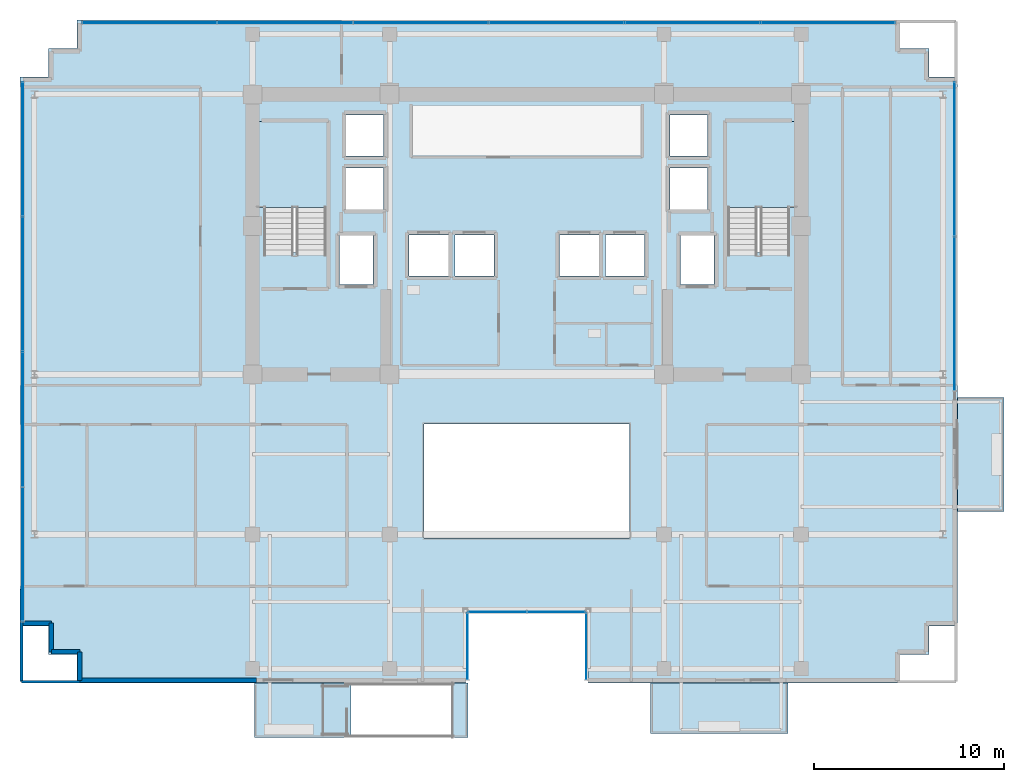
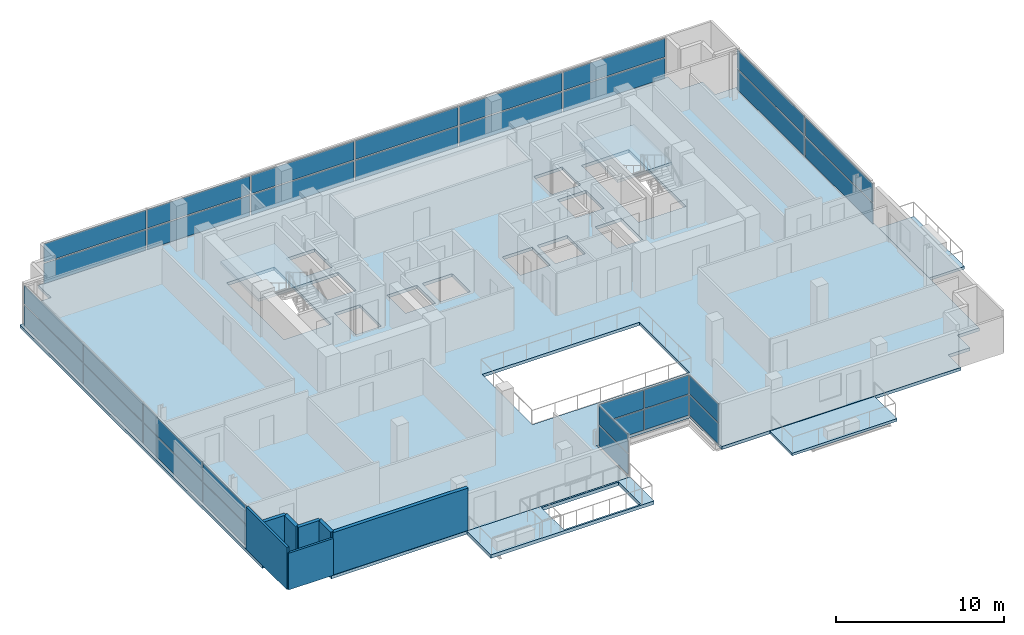
# One storey, part 16 of 23: 32 plates, 7 walls, 6 slabs, 8 elements without a shape of their own.
"""IFC4 building model written with IfcOpenShell, lengths in metres."""

from ifc_helpers import new_model, si_unit, direction, frame, frame_2d, origin, origin_2d, place, context, subcontext, project, spatial, polyline, rectangle, outline, extrude, source, transform, mapped, material, layer, layer_set, type_object, element, aggregate, save


model = new_model("IFC4")

# Units and contexts
model_context = context("Model", 3, precision=1e-05, world=origin(), true_north=direction((0.0, 1.0)))
body_context = subcontext(model_context, "Body", "Model", "MODEL_VIEW")
ifc_project = project(units=[si_unit("LENGTHUNIT", "METRE"), si_unit("AREAUNIT", "SQUARE_METRE"), si_unit("VOLUMEUNIT", "CUBIC_METRE"), si_unit("PLANEANGLEUNIT", "RADIAN"), si_unit("MASSUNIT", "GRAM", prefix="KILO")], contexts=[model_context])

# Site, building, storey
site_placement = place(None, origin())
site = spatial("IfcSite", under=ifc_project, at=site_placement, CompositionType="ELEMENT")
building_placement = place(site_placement, origin())
building = spatial("IfcBuilding", under=site, at=building_placement, Name="Zarnakvel Exchange Tower", CompositionType="ELEMENT")
storey_placement = place(building_placement, frame((0.0, 0.0, 149.5)))
storey = spatial("IfcBuildingStorey", under=building, at=storey_placement, Name="L41", CompositionType="ELEMENT", Elevation=149.5)

# Stair, slab
ifc_material_1 = material(Name="Concrete C40/50", Category="concrete")
stair_type = type_object("IfcStairType", Name="STR-01", PredefinedType="HALF_TURN_STAIR", material=ifc_material_1)
stair_1_placement = place(storey_placement, origin())
stair_1 = element("IfcStair", 1, at=stair_1_placement, inside=storey, type_object=stair_type, Name="L41 Protected Core Exit Stair ST-01", PredefinedType="HALF_TURN_STAIR")
ifc_layer_1 = layer(ifc_material_1, 0.199951171875)
ifc_layer_set_1 = layer_set([ifc_layer_1], Name="Concrete C40/50")
slab_type_1 = type_object("IfcSlabType", Name="LDG-01", PredefinedType="LANDING", material=ifc_layer_set_1)
slab_1_placement = place(storey_placement, frame((0.0, 0.0, 1.449951171875)))
slab_1 = element("IfcSlab", 2, at=slab_1_placement, type_object=slab_type_1, Name="ST-01 landing 1", PredefinedType="LANDING", context=body_context, shape_type="SweptSolid", body=[
    extrude(outline(polyline([(-14.18994140625, 7.570068359375), (-10.4599609375, 7.570068359375), (-10.4599609375, 12.080078125), (-14.18994140625, 12.080078125), (-14.18994140625, 7.570068359375)])), origin(), (0.0, 0.0, 1.0), 0.199951171875),
])
aggregate(stair_1, [slab_1])

stair_2_placement = place(storey_placement, origin())
stair_2 = element("IfcStair", 3, at=stair_2_placement, inside=storey, type_object=stair_type, Name="L41 Protected Core Exit Stair ST-02", PredefinedType="HALF_TURN_STAIR")
slab_2_placement = place(storey_placement, frame((0.0, 0.0, 1.449951171875)))
slab_2 = element("IfcSlab", 4, at=slab_2_placement, type_object=slab_type_1, Name="ST-02 landing 1", PredefinedType="LANDING", context=body_context, shape_type="SweptSolid", body=[
    extrude(outline(polyline([(10.4599609375, 7.570068359375), (14.18994140625, 7.570068359375), (14.18994140625, 12.080078125), (10.4599609375, 12.080078125), (10.4599609375, 7.570068359375)])), origin(), (0.0, 0.0, 1.0), 0.199951171875),
])
aggregate(stair_2, [slab_2])

# Slabs
ifc_layer_2 = layer(ifc_material_1, 0.22509765625)
ifc_layer_set_2 = layer_set([ifc_layer_2], Name="Concrete C40/50")
slab_type_2 = type_object("IfcSlabType", Name="SL-04", PredefinedType="FLOOR", material=ifc_layer_set_2)
slab_3_placement = place(storey_placement, frame((0.0, 0.0, -0.22509765625)))
element("IfcSlab", 5, at=slab_3_placement, inside=storey, type_object=slab_type_2, Name="L41 Primary Structural Floor Slab", PredefinedType="FLOOR", context=body_context, shape_type="SweptSolid", body=[
    extrude(outline(polyline([(-26.60009765625, -14.39990234375), (-25.10009765625, -14.39990234375), (-25.10009765625, -15.89990234375), (-23.60009765625, -15.89990234375), (-23.60009765625, -17.39990234375), (-3.199951171875, -17.39990234375), (-3.199951171875, -13.60009765625), (3.199951171875, -13.60009765625), (3.199951171875, -17.39990234375), (19.60009765625, -17.39990234375), (19.60009765625, -15.89990234375), (21.10009765625, -15.89990234375), (21.10009765625, -14.39990234375), (22.60009765625, -14.39990234375), (22.60009765625, 14.39990234375), (21.10009765625, 14.39990234375), (21.10009765625, 15.89990234375), (19.60009765625, 15.89990234375), (19.60009765625, 17.39990234375), (-23.60009765625, 17.39990234375), (-23.60009765625, 15.89990234375), (-25.10009765625, 15.89990234375), (-25.10009765625, 14.39990234375), (-26.60009765625, 14.39990234375), (-26.60009765625, -14.39990234375)]), holes=[polyline([(-5.39990234375, -9.800048828125), (5.39990234375, -9.800048828125), (5.39990234375, -3.800048828125), (-5.39990234375, -3.800048828125), (-5.39990234375, -9.800048828125)]), polyline([(-13.800048828125, 5.2099609375), (-10.5400390625, 5.2099609375), (-10.5400390625, 12.0), (-13.800048828125, 12.0), (-13.800048828125, 5.2099609375)]), polyline([(10.5400390625, 5.2099609375), (13.800048828125, 5.2099609375), (13.800048828125, 12.0), (10.5400390625, 12.0), (10.5400390625, 5.2099609375)]), polyline([(-9.830078125, 3.52001953125), (-8.070068359375, 3.52001953125), (-8.070068359375, 6.080078125), (-9.830078125, 6.080078125), (-9.830078125, 3.52001953125)]), polyline([(8.070068359375, 3.52001953125), (9.830078125, 3.52001953125), (9.830078125, 6.080078125), (8.070068359375, 6.080078125), (8.070068359375, 3.52001953125)]), polyline([(-6.179931640625, 3.969970703125), (-4.1201171875, 3.969970703125), (-4.1201171875, 6.1298828125), (-6.179931640625, 6.1298828125), (-6.179931640625, 3.969970703125)]), polyline([(-3.780029296875, 3.969970703125), (-1.719970703125, 3.969970703125), (-1.719970703125, 6.1298828125), (-3.780029296875, 6.1298828125), (-3.780029296875, 3.969970703125)]), polyline([(1.719970703125, 3.969970703125), (3.780029296875, 3.969970703125), (3.780029296875, 6.1298828125), (1.719970703125, 6.1298828125), (1.719970703125, 3.969970703125)]), polyline([(4.1201171875, 3.969970703125), (6.179931640625, 3.969970703125), (6.179931640625, 6.1298828125), (4.1201171875, 6.1298828125), (4.1201171875, 3.969970703125)]), polyline([(-9.47998046875, 7.469970703125), (-7.52001953125, 7.469970703125), (-7.52001953125, 9.6298828125), (-9.47998046875, 9.6298828125), (-9.47998046875, 7.469970703125)]), polyline([(-9.47998046875, 10.27001953125), (-7.52001953125, 10.27001953125), (-7.52001953125, 12.429931640625), (-9.47998046875, 12.429931640625), (-9.47998046875, 10.27001953125)]), polyline([(7.52001953125, 7.469970703125), (9.47998046875, 7.469970703125), (9.47998046875, 9.6298828125), (7.52001953125, 9.6298828125), (7.52001953125, 7.469970703125)]), polyline([(7.52001953125, 10.27001953125), (9.47998046875, 10.27001953125), (9.47998046875, 12.429931640625), (7.52001953125, 12.429931640625), (7.52001953125, 10.27001953125)])]), origin(), (0.0, 0.0, 1.0), 0.22509765625),
])
ifc_layer_3 = layer(ifc_material_1, 0.25)
ifc_layer_set_3 = layer_set([ifc_layer_3], Name="Concrete C40/50")
slab_type_3 = type_object("IfcSlabType", Name="SL-07", PredefinedType="ROOF", material=ifc_layer_set_3)
slab_4_placement = place(storey_placement, frame((0.0, 0.0, -0.25)))
element("IfcSlab", 6, at=slab_4_placement, inside=storey, type_object=slab_type_3, Name="L41 Spiral Sky-Terrace Outdoor Slab (SW)", PredefinedType="ROOF", context=body_context, shape_type="SweptSolid", body=[
    extrude(outline(polyline([(-14.300048828125, -20.260009765625), (-3.10009765625, -20.260009765625), (-3.10009765625, -17.39990234375), (-14.300048828125, -17.39990234375), (-14.300048828125, -20.260009765625)]), holes=[polyline([(-9.239990234375, -20.139892578125), (-3.949951171875, -20.139892578125), (-3.949951171875, -17.52001953125), (-9.239990234375, -17.52001953125), (-9.239990234375, -20.139892578125)])]), origin(), (0.0, 0.0, 1.0), 0.25),
])
ifc_layer_4 = layer(ifc_material_1, 0.18994140625)
ifc_layer_set_4 = layer_set([ifc_layer_4], Name="Concrete C40/50")
slab_type_4 = type_object("IfcSlabType", Name="SL-08", PredefinedType="USERDEFINED", material=ifc_layer_set_4)
slab_5_placement = place(storey_placement, frame((0.0, 0.0, -0.22509765625)))
element("IfcSlab", 7, at=slab_5_placement, inside=storey, type_object=slab_type_4, Name="L41 Planted Loggia Balcony Slab BAL-L41-SE", ObjectType="BALCONY", PredefinedType="USERDEFINED", context=body_context, shape_type="SweptSolid", body=[
    extrude(outline(polyline([(6.5, -20.050048828125), (13.699951171875, -20.050048828125), (13.699951171875, -17.39990234375), (6.5, -17.39990234375), (6.5, -20.050048828125)])), origin(), (0.0, 0.0, 1.0), 0.190185546875),
])
slab_6_placement = place(storey_placement, frame((0.0, 0.0, -0.22509765625)))
element("IfcSlab", 8, at=slab_6_placement, inside=storey, type_object=slab_type_4, Name="L41 Planted Loggia Balcony Slab BAL-L41-E", ObjectType="BALCONY", PredefinedType="USERDEFINED", context=body_context, shape_type="SweptSolid", body=[
    extrude(outline(polyline([(22.60009765625, -8.39990234375), (25.050048828125, -8.39990234375), (25.050048828125, -2.39990234375), (22.60009765625, -2.39990234375), (22.60009765625, -8.39990234375)])), origin(), (0.0, 0.0, 1.0), 0.190185546875),
])

# Curtain wall, plate
ifc_material_2 = material(Name="Architectural Bronze Anodised Aluminium", Category="aluminium")
ifc_layer_5 = layer(ifc_material_2, 0.179931640625)
ifc_layer_set_5 = layer_set([ifc_layer_5], Name="Architectural Bronze Anodised Aluminium")
curtain_wall_type_1 = type_object("IfcCurtainWallType", Name="CW-05", PredefinedType="NOTDEFINED", material=ifc_layer_set_5)
curtain_wall_1_placement = place(storey_placement, origin())
curtain_wall_1 = element("IfcCurtainWall", 9, at=curtain_wall_1_placement, inside=storey, type_object=curtain_wall_type_1, Name="L41 Curtain Wall CW-L41-SLW (CW-05)", PredefinedType="NOTDEFINED")
ifc_material_3 = material(Name="Double Low-E Laminated Vision Glass", Category="glass")
ifc_layer_6 = layer(ifc_material_3, 0.02587890625)
ifc_layer_set_6 = layer_set([ifc_layer_6], Name="Double Low-E Laminated Vision Glass")
plate_type_1 = type_object("IfcPlateType", Name="CWP-05", PredefinedType="CURTAIN_PANEL", material=ifc_layer_set_6)
shared_shape_1 = source(origin(), body_context, "Body", "SweptSolid", [
    extrude(rectangle(XDim=3.4599609375, YDim=0.02587890625, at=origin_2d()), origin(), (0.0, 0.0, 1.0), 1.483642578125),
])
plate_1_placement = place(storey_placement, frame((-3.1201171875, -15.47998046875, 0.06982421875), z_axis=(0.0, 0.0, 1.0), x_axis=(0.0, 1.0, 0.0)))
plate_1 = element("IfcPlate", 10, at=plate_1_placement, type_object=plate_type_1, Name="CW-05 panel 1.1", PredefinedType="CURTAIN_PANEL", context=body_context, shape_type="MappedRepresentation", body=[
    mapped(shared_shape_1, transform((0.0, 0.0, 0.0), x_axis=(1.0, 0.0, 0.0), y_axis=(0.0, 1.0, 0.0), z_axis=(0.0, 0.0, 1.0), scale=1.0)),
])

curtain_wall_2_placement = place(storey_placement, origin())
curtain_wall_2 = element("IfcCurtainWall", 11, at=curtain_wall_2_placement, inside=storey, type_object=curtain_wall_type_1, Name="L41 Curtain Wall CW-L41-SLE (CW-05)", PredefinedType="NOTDEFINED")
plate_2_placement = place(storey_placement, frame((3.1201171875, -15.47998046875, 0.06982421875), z_axis=(0.0, 0.0, 1.0), x_axis=(0.0, -1.0, 0.0)))
plate_2 = element("IfcPlate", 12, at=plate_2_placement, type_object=plate_type_1, Name="CW-05 panel 1.1", PredefinedType="CURTAIN_PANEL", context=body_context, shape_type="MappedRepresentation", body=[
    mapped(shared_shape_1, transform((0.0, 0.0, 0.0), x_axis=(1.0, 0.0, 0.0), y_axis=(0.0, 1.0, 0.0), z_axis=(0.0, 0.0, 1.0), scale=1.0)),
])

# Plate
shared_shape_2 = source(origin(), body_context, "Body", "SweptSolid", [
    extrude(rectangle(XDim=3.4599609375, YDim=0.02587890625, at=origin_2d()), origin(), (0.0, 0.0, 1.0), 1.361328125),
])
plate_3_placement = place(storey_placement, frame((-3.1201171875, -15.47998046875, 1.62353515625), z_axis=(0.0, 0.0, 1.0), x_axis=(0.0, 1.0, 0.0)))
plate_3 = element("IfcPlate", 13, at=plate_3_placement, type_object=plate_type_1, Name="CW-05 panel 1.2", PredefinedType="CURTAIN_PANEL", context=body_context, shape_type="MappedRepresentation", body=[
    mapped(shared_shape_2, transform((0.0, 0.0, 0.0), x_axis=(1.0, 0.0, 0.0), y_axis=(0.0, 1.0, 0.0), z_axis=(0.0, 0.0, 1.0), scale=1.0)),
])

aggregate(curtain_wall_1, [plate_1, plate_3])

plate_4_placement = place(storey_placement, frame((3.1201171875, -15.47998046875, 1.62353515625), z_axis=(0.0, 0.0, 1.0), x_axis=(0.0, -1.0, 0.0)))
plate_4 = element("IfcPlate", 14, at=plate_4_placement, type_object=plate_type_1, Name="CW-05 panel 1.2", PredefinedType="CURTAIN_PANEL", context=body_context, shape_type="MappedRepresentation", body=[
    mapped(shared_shape_2, transform((0.0, 0.0, 0.0), x_axis=(1.0, 0.0, 0.0), y_axis=(0.0, 1.0, 0.0), z_axis=(0.0, 0.0, 1.0), scale=1.0)),
])

aggregate(curtain_wall_2, [plate_2, plate_4])

# Curtain wall, plates
curtain_wall_3_placement = place(storey_placement, origin())
curtain_wall_3 = element("IfcCurtainWall", 15, at=curtain_wall_3_placement, inside=storey, type_object=curtain_wall_type_1, Name="L41 Curtain Wall CW-L41-SLB (CW-05)", PredefinedType="NOTDEFINED")
shared_shape_3 = source(origin(), body_context, "Body", "SweptSolid", [
    extrude(rectangle(XDim=3.014892578125, YDim=0.02587890625, at=origin_2d()), origin(), (0.0, 0.0, 1.0), 1.483642578125),
])
plate_5_placement = place(storey_placement, frame((-1.54248046875, -13.679931640625, 0.06982421875), z_axis=(0.0, 0.0, 1.0), x_axis=(1.0, 0.0, 0.0)))
plate_5 = element("IfcPlate", 16, at=plate_5_placement, type_object=plate_type_1, Name="CW-05 panel 1.1", PredefinedType="CURTAIN_PANEL", context=body_context, shape_type="MappedRepresentation", body=[
    mapped(shared_shape_3, transform((0.0, 0.0, 0.0), x_axis=(1.0, 0.0, 0.0), y_axis=(0.0, 1.0, 0.0), z_axis=(0.0, 0.0, 1.0), scale=1.0)),
])
plate_6_placement = place(storey_placement, frame((1.54248046875, -13.679931640625, 0.06982421875), z_axis=(0.0, 0.0, 1.0), x_axis=(1.0, 0.0, 0.0)))
plate_6 = element("IfcPlate", 17, at=plate_6_placement, type_object=plate_type_1, Name="CW-05 panel 2.1", PredefinedType="CURTAIN_PANEL", context=body_context, shape_type="MappedRepresentation", body=[
    mapped(shared_shape_3, transform((0.0, 0.0, 0.0), x_axis=(1.0, 0.0, 0.0), y_axis=(0.0, 1.0, 0.0), z_axis=(0.0, 0.0, 1.0), scale=1.0)),
])
shared_shape_4 = source(origin(), body_context, "Body", "SweptSolid", [
    extrude(rectangle(XDim=3.014892578125, YDim=0.02587890625, at=origin_2d()), origin(), (0.0, 0.0, 1.0), 1.361328125),
])
plate_7_placement = place(storey_placement, frame((-1.54248046875, -13.679931640625, 1.62353515625), z_axis=(0.0, 0.0, 1.0), x_axis=(1.0, 0.0, 0.0)))
plate_7 = element("IfcPlate", 18, at=plate_7_placement, type_object=plate_type_1, Name="CW-05 panel 1.2", PredefinedType="CURTAIN_PANEL", context=body_context, shape_type="MappedRepresentation", body=[
    mapped(shared_shape_4, transform((0.0, 0.0, 0.0), x_axis=(1.0, 0.0, 0.0), y_axis=(0.0, 1.0, 0.0), z_axis=(0.0, 0.0, 1.0), scale=1.0)),
])
plate_8_placement = place(storey_placement, frame((1.54248046875, -13.679931640625, 1.62353515625), z_axis=(0.0, 0.0, 1.0), x_axis=(1.0, 0.0, 0.0)))
plate_8 = element("IfcPlate", 19, at=plate_8_placement, type_object=plate_type_1, Name="CW-05 panel 2.2", PredefinedType="CURTAIN_PANEL", context=body_context, shape_type="MappedRepresentation", body=[
    mapped(shared_shape_4, transform((0.0, 0.0, 0.0), x_axis=(1.0, 0.0, 0.0), y_axis=(0.0, 1.0, 0.0), z_axis=(0.0, 0.0, 1.0), scale=1.0)),
])
aggregate(curtain_wall_3, [plate_5, plate_7, plate_6, plate_8])

ifc_layer_7 = layer(ifc_material_2, 0.219970703125)
ifc_layer_set_7 = layer_set([ifc_layer_7], Name="Architectural Bronze Anodised Aluminium")
curtain_wall_type_2 = type_object("IfcCurtainWallType", Name="CW-03", PredefinedType="NOTDEFINED", material=ifc_layer_set_7)
curtain_wall_4_placement = place(storey_placement, origin())
curtain_wall_4 = element("IfcCurtainWall", 20, at=curtain_wall_4_placement, inside=storey, type_object=curtain_wall_type_2, Name="L41 Curtain Wall CW-L41-N1 (CW-03)", PredefinedType="NOTDEFINED")
ifc_layer_8 = layer(ifc_material_3, 0.030029296875)
ifc_layer_set_8 = layer_set([ifc_layer_8], Name="Double Low-E Laminated Vision Glass")
plate_type_2 = type_object("IfcPlateType", Name="CWP-03", PredefinedType="CURTAIN_PANEL", material=ifc_layer_set_8)
shared_shape_5 = source(origin(), body_context, "Body", "SweptSolid", [
    extrude(rectangle(XDim=7.013427734375, YDim=0.030029296875, at=origin_2d()), origin(), (0.0, 0.0, 1.0), 1.468505859375),
])
plate_9_placement = place(storey_placement, frame((-19.813232421875, 17.260009765625, 0.080078125), z_axis=(0.0, 0.0, 1.0), x_axis=(1.0, 0.0, 0.0)))
plate_9 = element("IfcPlate", 21, at=plate_9_placement, type_object=plate_type_2, Name="CW-03 panel 1.1", PredefinedType="CURTAIN_PANEL", context=body_context, shape_type="MappedRepresentation", body=[
    mapped(shared_shape_5, transform((0.0, 0.0, 0.0), x_axis=(1.0, 0.0, 0.0), y_axis=(0.0, 1.0, 0.0), z_axis=(0.0, 0.0, 1.0), scale=1.0)),
])
plate_10_placement = place(storey_placement, frame((15.813232421875, 17.260009765625, 0.080078125), z_axis=(0.0, 0.0, 1.0), x_axis=(1.0, 0.0, 0.0)))
plate_10 = element("IfcPlate", 22, at=plate_10_placement, type_object=plate_type_2, Name="CW-03 panel 6.1", PredefinedType="CURTAIN_PANEL", context=body_context, shape_type="MappedRepresentation", body=[
    mapped(shared_shape_5, transform((0.0, 0.0, 0.0), x_axis=(1.0, 0.0, 0.0), y_axis=(0.0, 1.0, 0.0), z_axis=(0.0, 0.0, 1.0), scale=1.0)),
])
shared_shape_6 = source(origin(), body_context, "Body", "SweptSolid", [
    extrude(rectangle(XDim=7.013427734375, YDim=0.030029296875, at=origin_2d()), origin(), (0.0, 0.0, 1.0), 1.346435546875),
])
plate_11_placement = place(storey_placement, frame((-19.813232421875, 17.260009765625, 1.62841796875), z_axis=(0.0, 0.0, 1.0), x_axis=(1.0, 0.0, 0.0)))
plate_11 = element("IfcPlate", 23, at=plate_11_placement, type_object=plate_type_2, Name="CW-03 panel 1.2", PredefinedType="CURTAIN_PANEL", context=body_context, shape_type="MappedRepresentation", body=[
    mapped(shared_shape_6, transform((0.0, 0.0, 0.0), x_axis=(1.0, 0.0, 0.0), y_axis=(0.0, 1.0, 0.0), z_axis=(0.0, 0.0, 1.0), scale=1.0)),
])
plate_12_placement = place(storey_placement, frame((15.813232421875, 17.260009765625, 1.62841796875), z_axis=(0.0, 0.0, 1.0), x_axis=(1.0, 0.0, 0.0)))
plate_12 = element("IfcPlate", 24, at=plate_12_placement, type_object=plate_type_2, Name="CW-03 panel 6.2", PredefinedType="CURTAIN_PANEL", context=body_context, shape_type="MappedRepresentation", body=[
    mapped(shared_shape_6, transform((0.0, 0.0, 0.0), x_axis=(1.0, 0.0, 0.0), y_axis=(0.0, 1.0, 0.0), z_axis=(0.0, 0.0, 1.0), scale=1.0)),
])
shared_shape_7 = source(origin(), body_context, "Body", "SweptSolid", [
    extrude(rectangle(XDim=7.05322265625, YDim=0.030029296875, at=origin_2d()), origin(), (0.0, 0.0, 1.0), 1.468505859375),
])
plate_13_placement = place(storey_placement, frame((-12.699951171875, 17.260009765625, 0.080078125), z_axis=(0.0, 0.0, 1.0), x_axis=(1.0, 0.0, 0.0)))
plate_13 = element("IfcPlate", 25, at=plate_13_placement, type_object=plate_type_2, Name="CW-03 panel 2.1", PredefinedType="CURTAIN_PANEL", context=body_context, shape_type="MappedRepresentation", body=[
    mapped(shared_shape_7, transform((0.0, 0.0, 0.0), x_axis=(1.0, 0.0, 0.0), y_axis=(0.0, 1.0, 0.0), z_axis=(0.0, 0.0, 1.0), scale=1.0)),
])
plate_14_placement = place(storey_placement, frame((-5.566650390625, 17.260009765625, 0.080078125), z_axis=(0.0, 0.0, 1.0), x_axis=(1.0, 0.0, 0.0)))
plate_14 = element("IfcPlate", 26, at=plate_14_placement, type_object=plate_type_2, Name="CW-03 panel 3.1", PredefinedType="CURTAIN_PANEL", context=body_context, shape_type="MappedRepresentation", body=[
    mapped(shared_shape_7, transform((0.0, 0.0, 0.0), x_axis=(1.0, 0.0, 0.0), y_axis=(0.0, 1.0, 0.0), z_axis=(0.0, 0.0, 1.0), scale=1.0)),
])
plate_15_placement = place(storey_placement, frame((1.566650390625, 17.260009765625, 0.080078125), z_axis=(0.0, 0.0, 1.0), x_axis=(1.0, 0.0, 0.0)))
plate_15 = element("IfcPlate", 27, at=plate_15_placement, type_object=plate_type_2, Name="CW-03 panel 4.1", PredefinedType="CURTAIN_PANEL", context=body_context, shape_type="MappedRepresentation", body=[
    mapped(shared_shape_7, transform((0.0, 0.0, 0.0), x_axis=(1.0, 0.0, 0.0), y_axis=(0.0, 1.0, 0.0), z_axis=(0.0, 0.0, 1.0), scale=1.0)),
])
plate_16_placement = place(storey_placement, frame((8.699951171875, 17.260009765625, 0.080078125), z_axis=(0.0, 0.0, 1.0), x_axis=(1.0, 0.0, 0.0)))
plate_16 = element("IfcPlate", 28, at=plate_16_placement, type_object=plate_type_2, Name="CW-03 panel 5.1", PredefinedType="CURTAIN_PANEL", context=body_context, shape_type="MappedRepresentation", body=[
    mapped(shared_shape_7, transform((0.0, 0.0, 0.0), x_axis=(1.0, 0.0, 0.0), y_axis=(0.0, 1.0, 0.0), z_axis=(0.0, 0.0, 1.0), scale=1.0)),
])
shared_shape_8 = source(origin(), body_context, "Body", "SweptSolid", [
    extrude(rectangle(XDim=7.05322265625, YDim=0.030029296875, at=origin_2d()), origin(), (0.0, 0.0, 1.0), 1.346435546875),
])
plate_17_placement = place(storey_placement, frame((-12.699951171875, 17.260009765625, 1.62841796875), z_axis=(0.0, 0.0, 1.0), x_axis=(1.0, 0.0, 0.0)))
plate_17 = element("IfcPlate", 29, at=plate_17_placement, type_object=plate_type_2, Name="CW-03 panel 2.2", PredefinedType="CURTAIN_PANEL", context=body_context, shape_type="MappedRepresentation", body=[
    mapped(shared_shape_8, transform((0.0, 0.0, 0.0), x_axis=(1.0, 0.0, 0.0), y_axis=(0.0, 1.0, 0.0), z_axis=(0.0, 0.0, 1.0), scale=1.0)),
])
plate_18_placement = place(storey_placement, frame((-5.566650390625, 17.260009765625, 1.62841796875), z_axis=(0.0, 0.0, 1.0), x_axis=(1.0, 0.0, 0.0)))
plate_18 = element("IfcPlate", 30, at=plate_18_placement, type_object=plate_type_2, Name="CW-03 panel 3.2", PredefinedType="CURTAIN_PANEL", context=body_context, shape_type="MappedRepresentation", body=[
    mapped(shared_shape_8, transform((0.0, 0.0, 0.0), x_axis=(1.0, 0.0, 0.0), y_axis=(0.0, 1.0, 0.0), z_axis=(0.0, 0.0, 1.0), scale=1.0)),
])
plate_19_placement = place(storey_placement, frame((1.566650390625, 17.260009765625, 1.62841796875), z_axis=(0.0, 0.0, 1.0), x_axis=(1.0, 0.0, 0.0)))
plate_19 = element("IfcPlate", 31, at=plate_19_placement, type_object=plate_type_2, Name="CW-03 panel 4.2", PredefinedType="CURTAIN_PANEL", context=body_context, shape_type="MappedRepresentation", body=[
    mapped(shared_shape_8, transform((0.0, 0.0, 0.0), x_axis=(1.0, 0.0, 0.0), y_axis=(0.0, 1.0, 0.0), z_axis=(0.0, 0.0, 1.0), scale=1.0)),
])
plate_20_placement = place(storey_placement, frame((8.699951171875, 17.260009765625, 1.62841796875), z_axis=(0.0, 0.0, 1.0), x_axis=(1.0, 0.0, 0.0)))
plate_20 = element("IfcPlate", 32, at=plate_20_placement, type_object=plate_type_2, Name="CW-03 panel 5.2", PredefinedType="CURTAIN_PANEL", context=body_context, shape_type="MappedRepresentation", body=[
    mapped(shared_shape_8, transform((0.0, 0.0, 0.0), x_axis=(1.0, 0.0, 0.0), y_axis=(0.0, 1.0, 0.0), z_axis=(0.0, 0.0, 1.0), scale=1.0)),
])
aggregate(curtain_wall_4, [plate_9, plate_11, plate_13, plate_17, plate_14, plate_18, plate_15, plate_19, plate_16, plate_20, plate_10, plate_12])

ifc_layer_9 = layer(ifc_material_2, 0.199951171875)
ifc_layer_set_9 = layer_set([ifc_layer_9], Name="Architectural Bronze Anodised Aluminium")
curtain_wall_type_3 = type_object("IfcCurtainWallType", Name="CW-04", PredefinedType="NOTDEFINED", material=ifc_layer_set_9)
curtain_wall_5_placement = place(storey_placement, origin())
curtain_wall_5 = element("IfcCurtainWall", 33, at=curtain_wall_5_placement, inside=storey, type_object=curtain_wall_type_3, Name="L41 Curtain Wall CW-L41-EN (CW-04)", PredefinedType="NOTDEFINED")
ifc_layer_10 = layer(ifc_material_3, 0.028076171875)
ifc_layer_set_10 = layer_set([ifc_layer_10], Name="Double Low-E Laminated Vision Glass")
plate_type_3 = type_object("IfcPlateType", Name="CWP-04", PredefinedType="CURTAIN_PANEL", material=ifc_layer_set_10)
shared_shape_9 = source(origin(), body_context, "Body", "SweptSolid", [
    extrude(rectangle(XDim=8.03759765625, YDim=0.028076171875, at=origin_2d()), origin(), (0.0, 0.0, 1.0), 1.47607421875),
])
plate_21_placement = place(storey_placement, frame((22.4599609375, 1.99365234375, 0.074951171875), z_axis=(0.0, 0.0, 1.0), x_axis=(0.0, 1.0, 0.0)))
plate_21 = element("IfcPlate", 34, at=plate_21_placement, type_object=plate_type_3, Name="CW-04 panel 1.1", PredefinedType="CURTAIN_PANEL", context=body_context, shape_type="MappedRepresentation", body=[
    mapped(shared_shape_9, transform((0.0, 0.0, 0.0), x_axis=(1.0, 0.0, 0.0), y_axis=(0.0, 1.0, 0.0), z_axis=(0.0, 0.0, 1.0), scale=1.0)),
])
plate_22_placement = place(storey_placement, frame((22.4599609375, 10.106201171875, 0.074951171875), z_axis=(0.0, 0.0, 1.0), x_axis=(0.0, 1.0, 0.0)))
plate_22 = element("IfcPlate", 35, at=plate_22_placement, type_object=plate_type_3, Name="CW-04 panel 2.1", PredefinedType="CURTAIN_PANEL", context=body_context, shape_type="MappedRepresentation", body=[
    mapped(shared_shape_9, transform((0.0, 0.0, 0.0), x_axis=(1.0, 0.0, 0.0), y_axis=(0.0, 1.0, 0.0), z_axis=(0.0, 0.0, 1.0), scale=1.0)),
])
shared_shape_10 = source(origin(), body_context, "Body", "SweptSolid", [
    extrude(rectangle(XDim=8.03759765625, YDim=0.028076171875, at=origin_2d()), origin(), (0.0, 0.0, 1.0), 1.35400390625),
])
plate_23_placement = place(storey_placement, frame((22.4599609375, 1.99365234375, 1.6259765625), z_axis=(0.0, 0.0, 1.0), x_axis=(0.0, 1.0, 0.0)))
plate_23 = element("IfcPlate", 36, at=plate_23_placement, type_object=plate_type_3, Name="CW-04 panel 1.2", PredefinedType="CURTAIN_PANEL", context=body_context, shape_type="MappedRepresentation", body=[
    mapped(shared_shape_10, transform((0.0, 0.0, 0.0), x_axis=(1.0, 0.0, 0.0), y_axis=(0.0, 1.0, 0.0), z_axis=(0.0, 0.0, 1.0), scale=1.0)),
])
plate_24_placement = place(storey_placement, frame((22.4599609375, 10.106201171875, 1.6259765625), z_axis=(0.0, 0.0, 1.0), x_axis=(0.0, 1.0, 0.0)))
plate_24 = element("IfcPlate", 37, at=plate_24_placement, type_object=plate_type_3, Name="CW-04 panel 2.2", PredefinedType="CURTAIN_PANEL", context=body_context, shape_type="MappedRepresentation", body=[
    mapped(shared_shape_10, transform((0.0, 0.0, 0.0), x_axis=(1.0, 0.0, 0.0), y_axis=(0.0, 1.0, 0.0), z_axis=(0.0, 0.0, 1.0), scale=1.0)),
])
aggregate(curtain_wall_5, [plate_21, plate_23, plate_22, plate_24])

curtain_wall_6_placement = place(storey_placement, origin())
curtain_wall_6 = element("IfcCurtainWall", 38, at=curtain_wall_6_placement, inside=storey, type_object=curtain_wall_type_3, Name="L41 Curtain Wall CW-L41-W1 (CW-04)", PredefinedType="NOTDEFINED")
shared_shape_11 = source(origin(), body_context, "Body", "SweptSolid", [
    extrude(rectangle(XDim=6.987548828125, YDim=0.028076171875, at=origin_2d()), origin(), (0.0, 0.0, 1.0), 1.47607421875),
])
plate_25_placement = place(storey_placement, frame((-26.4599609375, -10.63134765625, 0.074951171875), z_axis=(0.0, 0.0, 1.0), x_axis=(0.0, 1.0, 0.0)))
plate_25 = element("IfcPlate", 39, at=plate_25_placement, type_object=plate_type_3, Name="CW-04 panel 1.1", PredefinedType="CURTAIN_PANEL", context=body_context, shape_type="MappedRepresentation", body=[
    mapped(shared_shape_11, transform((0.0, 0.0, 0.0), x_axis=(1.0, 0.0, 0.0), y_axis=(0.0, 1.0, 0.0), z_axis=(0.0, 0.0, 1.0), scale=1.0)),
])
plate_26_placement = place(storey_placement, frame((-26.4599609375, 10.63134765625, 0.074951171875), z_axis=(0.0, 0.0, 1.0), x_axis=(0.0, 1.0, 0.0)))
plate_26 = element("IfcPlate", 40, at=plate_26_placement, type_object=plate_type_3, Name="CW-04 panel 4.1", PredefinedType="CURTAIN_PANEL", context=body_context, shape_type="MappedRepresentation", body=[
    mapped(shared_shape_11, transform((0.0, 0.0, 0.0), x_axis=(1.0, 0.0, 0.0), y_axis=(0.0, 1.0, 0.0), z_axis=(0.0, 0.0, 1.0), scale=1.0)),
])
shared_shape_12 = source(origin(), body_context, "Body", "SweptSolid", [
    extrude(rectangle(XDim=6.987548828125, YDim=0.028076171875, at=origin_2d()), origin(), (0.0, 0.0, 1.0), 1.35400390625),
])
plate_27_placement = place(storey_placement, frame((-26.4599609375, -10.63134765625, 1.6259765625), z_axis=(0.0, 0.0, 1.0), x_axis=(0.0, 1.0, 0.0)))
plate_27 = element("IfcPlate", 41, at=plate_27_placement, type_object=plate_type_3, Name="CW-04 panel 1.2", PredefinedType="CURTAIN_PANEL", context=body_context, shape_type="MappedRepresentation", body=[
    mapped(shared_shape_12, transform((0.0, 0.0, 0.0), x_axis=(1.0, 0.0, 0.0), y_axis=(0.0, 1.0, 0.0), z_axis=(0.0, 0.0, 1.0), scale=1.0)),
])
plate_28_placement = place(storey_placement, frame((-26.4599609375, 10.63134765625, 1.6259765625), z_axis=(0.0, 0.0, 1.0), x_axis=(0.0, 1.0, 0.0)))
plate_28 = element("IfcPlate", 42, at=plate_28_placement, type_object=plate_type_3, Name="CW-04 panel 4.2", PredefinedType="CURTAIN_PANEL", context=body_context, shape_type="MappedRepresentation", body=[
    mapped(shared_shape_12, transform((0.0, 0.0, 0.0), x_axis=(1.0, 0.0, 0.0), y_axis=(0.0, 1.0, 0.0), z_axis=(0.0, 0.0, 1.0), scale=1.0)),
])
shared_shape_13 = source(origin(), body_context, "Body", "SweptSolid", [
    extrude(rectangle(XDim=7.02490234375, YDim=0.028076171875, at=origin_2d()), origin(), (0.0, 0.0, 1.0), 1.47607421875),
])
plate_29_placement = place(storey_placement, frame((-26.4599609375, -3.550048828125, 0.074951171875), z_axis=(0.0, 0.0, 1.0), x_axis=(0.0, 1.0, 0.0)))
plate_29 = element("IfcPlate", 43, at=plate_29_placement, type_object=plate_type_3, Name="CW-04 panel 2.1", PredefinedType="CURTAIN_PANEL", context=body_context, shape_type="MappedRepresentation", body=[
    mapped(shared_shape_13, transform((0.0, 0.0, 0.0), x_axis=(1.0, 0.0, 0.0), y_axis=(0.0, 1.0, 0.0), z_axis=(0.0, 0.0, 1.0), scale=1.0)),
])
plate_30_placement = place(storey_placement, frame((-26.4599609375, 3.550048828125, 0.074951171875), z_axis=(0.0, 0.0, 1.0), x_axis=(0.0, 1.0, 0.0)))
plate_30 = element("IfcPlate", 44, at=plate_30_placement, type_object=plate_type_3, Name="CW-04 panel 3.1", PredefinedType="CURTAIN_PANEL", context=body_context, shape_type="MappedRepresentation", body=[
    mapped(shared_shape_13, transform((0.0, 0.0, 0.0), x_axis=(1.0, 0.0, 0.0), y_axis=(0.0, 1.0, 0.0), z_axis=(0.0, 0.0, 1.0), scale=1.0)),
])
shared_shape_14 = source(origin(), body_context, "Body", "SweptSolid", [
    extrude(rectangle(XDim=7.02490234375, YDim=0.028076171875, at=origin_2d()), origin(), (0.0, 0.0, 1.0), 1.35400390625),
])
plate_31_placement = place(storey_placement, frame((-26.4599609375, -3.550048828125, 1.6259765625), z_axis=(0.0, 0.0, 1.0), x_axis=(0.0, 1.0, 0.0)))
plate_31 = element("IfcPlate", 45, at=plate_31_placement, type_object=plate_type_3, Name="CW-04 panel 2.2", PredefinedType="CURTAIN_PANEL", context=body_context, shape_type="MappedRepresentation", body=[
    mapped(shared_shape_14, transform((0.0, 0.0, 0.0), x_axis=(1.0, 0.0, 0.0), y_axis=(0.0, 1.0, 0.0), z_axis=(0.0, 0.0, 1.0), scale=1.0)),
])
plate_32_placement = place(storey_placement, frame((-26.4599609375, 3.550048828125, 1.6259765625), z_axis=(0.0, 0.0, 1.0), x_axis=(0.0, 1.0, 0.0)))
plate_32 = element("IfcPlate", 46, at=plate_32_placement, type_object=plate_type_3, Name="CW-04 panel 3.2", PredefinedType="CURTAIN_PANEL", context=body_context, shape_type="MappedRepresentation", body=[
    mapped(shared_shape_14, transform((0.0, 0.0, 0.0), x_axis=(1.0, 0.0, 0.0), y_axis=(0.0, 1.0, 0.0), z_axis=(0.0, 0.0, 1.0), scale=1.0)),
])
aggregate(curtain_wall_6, [plate_25, plate_27, plate_29, plate_31, plate_30, plate_32, plate_26, plate_28])

# Walls
ifc_material_4 = material(Name="Precast concrete C40/50", Category="concrete")
ifc_layer_11 = layer(ifc_material_4, 0.239990234375)
ifc_layer_set_11 = layer_set([ifc_layer_11], Name="Precast concrete C40/50")
wall_type_1 = type_object("IfcWallType", Name="EW-02", PredefinedType="SOLIDWALL", material=ifc_layer_set_11)
wall_1_placement = place(storey_placement, frame((-23.4599609375, -17.260009765625, 0.0), z_axis=(0.0, 0.0, 1.0), x_axis=(1.0, 0.0, 0.0)))
element("IfcWall", 47, at=wall_1_placement, inside=storey, type_object=wall_type_1, Name="L41 Exterior Precast Spandrel Wall EWC-L41-21 (EW-02)", PredefinedType="SOLIDWALL", context=body_context, shape_type="SweptSolid", body=[
    extrude(rectangle(XDim=9.260009765625, YDim=0.239990234375, at=frame_2d((4.6298828125, 0.0))), origin(), (0.0, 0.0, 1.0), 3.074951171875),
])
for number, where, z_axis, x_axis, name in (
    (48, (-23.4599609375, -15.760009765625, 0.0), (0.0, 0.0, 1.0), (0.0, -1.0, 0.0), "L41 Exterior Precast Spandrel Wall EWC-L41-22 (EW-02)"),
    (49, (-24.9599609375, -15.760009765625, 0.0), (0.0, 0.0, 1.0), (1.0, 0.0, 0.0), "L41 Exterior Precast Spandrel Wall EWC-L41-23 (EW-02)"),
    (50, (-24.9599609375, -14.260009765625, 0.0), (0.0, 0.0, 1.0), (0.0, -1.0, 0.0), "L41 Exterior Precast Spandrel Wall EWC-L41-24 (EW-02)"),
    (51, (-26.4599609375, -14.260009765625, 0.0), (0.0, 0.0, 1.0), (1.0, 0.0, 0.0), "L41 Exterior Precast Spandrel Wall EWC-L41-25 (EW-02)"),
):
    element("IfcWall", number, at=place(storey_placement, frame(where, z_axis=z_axis, x_axis=x_axis)), inside=storey, type_object=wall_type_1, Name=name, PredefinedType="SOLIDWALL", context=body_context, shape_type="SweptSolid", body=[
        extrude(rectangle(XDim=1.5, YDim=0.239990234375, at=frame_2d((0.75, 0.0))), origin(), (0.0, 0.0, 1.0), 3.074951171875),
    ])
ifc_material_5 = material(Name="Fire-Rated Gypsum Stud Partition", Category="gypsum")
ifc_layer_12 = layer(ifc_material_5, 0.14990234375)
ifc_layer_set_12 = layer_set([ifc_layer_12], Name="Fire-Rated Gypsum Stud Partition")
wall_type_2 = type_object("IfcWallType", Name="PT-01", PredefinedType="PARTITIONING", material=ifc_layer_set_12)
wall_2_placement = place(storey_placement, frame((-23.4599609375, -17.330078125, 0.0), z_axis=(0.0, 0.0, 1.0), x_axis=(-1.0, 0.0, 0.0)))
element("IfcWall", 52, at=wall_2_placement, inside=storey, type_object=wall_type_2, Name="L41 Partition Wall PWALL-L41-035 (PT-01)", PredefinedType="PARTITIONING", context=body_context, shape_type="SweptSolid", body=[
    extrude(rectangle(XDim=3.070068359375, YDim=0.14990234375, at=frame_2d((1.53515625, 0.0))), origin(), (0.0, 0.0, 1.0), 2.6650390625),
])
wall_3_placement = place(storey_placement, frame((-26.530029296875, -17.330078125, 0.0), z_axis=(0.0, 0.0, 1.0), x_axis=(0.0, 1.0, 0.0)))
element("IfcWall", 53, at=wall_3_placement, inside=storey, type_object=wall_type_2, Name="L41 Partition Wall PWALL-L41-036 (PT-01)", PredefinedType="PARTITIONING", context=body_context, shape_type="SweptSolid", body=[
    extrude(rectangle(XDim=4.85009765625, YDim=0.14990234375, at=frame_2d((2.425048828125, 0.0))), origin(), (0.0, 0.0, 1.0), 3.074951171875),
])

save(model, "model.ifc")
